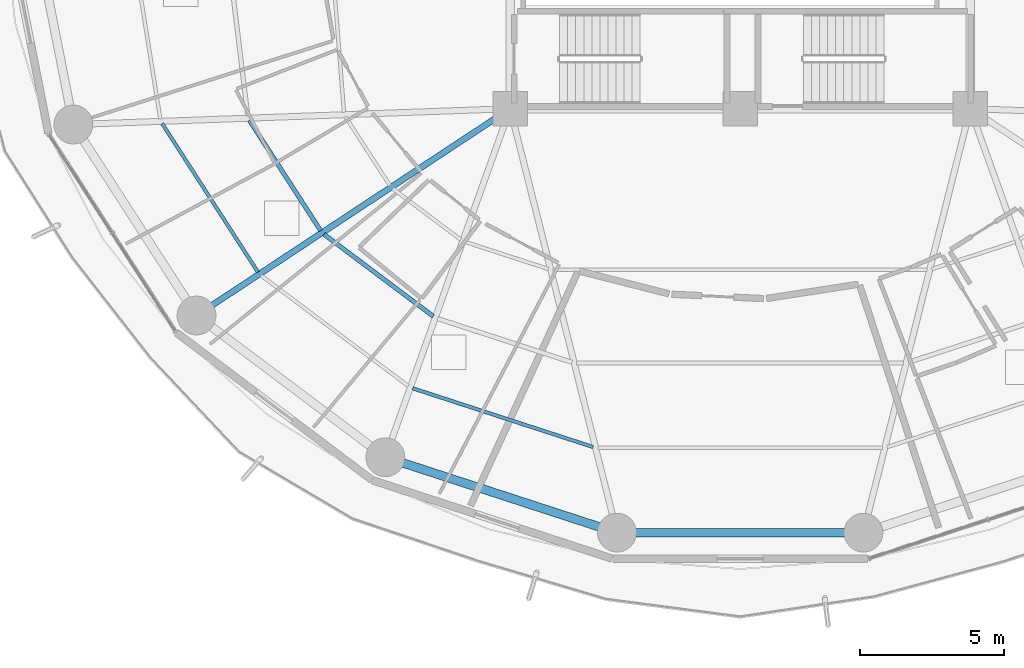
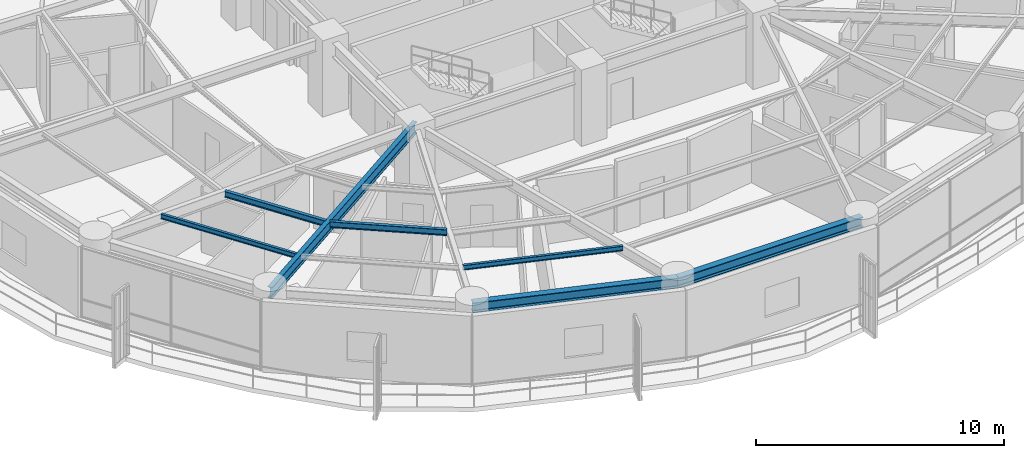
# One storey, part 3 of 37: 7 beams.
"""IFC4 building model written with IfcOpenShell, lengths in metres."""

from ifc_helpers import new_model, si_unit, direction, frame, origin, origin_2d, place, context, subcontext, project, spatial, i_section, extrude, material, material_profile, profile_set, type_object, element, save


model = new_model("IFC4")

# Units and contexts
model_context = context("Model", 3, precision=1e-05, world=origin(), true_north=direction((0.0, 1.0)))
body_context = subcontext(model_context, "Body", "Model", "MODEL_VIEW")
ifc_project = project(units=[si_unit("LENGTHUNIT", "METRE"), si_unit("AREAUNIT", "SQUARE_METRE"), si_unit("VOLUMEUNIT", "CUBIC_METRE"), si_unit("PLANEANGLEUNIT", "RADIAN"), si_unit("MASSUNIT", "GRAM", prefix="KILO")], contexts=[model_context])

# Site, building, storey
site_placement = place(None, origin())
site = spatial("IfcSite", under=ifc_project, at=site_placement, CompositionType="ELEMENT")
building_placement = place(site_placement, origin())
building = spatial("IfcBuilding", under=site, at=building_placement, Name="Kelanora Arch Commons", CompositionType="ELEMENT")
storey_placement = place(building_placement, frame((0.0, 0.0, 110.10009765625)))
storey = spatial("IfcBuildingStorey", under=building, at=storey_placement, Name="L28", CompositionType="ELEMENT", Elevation=110.10009765625)

# Beams
ifc_material = material(Name="Steel S355", Category="steel")
ifc_material_profile_1 = material_profile(ifc_material, i_section(OverallWidth=0.14990234375, OverallDepth=0.300048828125, WebThickness=0.007080078125, FlangeThickness=0.0107421875, FilletRadius=0.014892578125, at=origin_2d()), Name="IPE300")
ifc_profile_set_1 = profile_set([ifc_material_profile_1], Name="Steel S355")
beam_type_1 = type_object("IfcBeamType", Name="BM-JST-01", PredefinedType="JOIST", material=ifc_profile_set_1)
beam_1_placement = place(storey_placement, frame((56.93115234375, 50.597412109375, 3.33984375), z_axis=(0.542230243286, -0.840229946661, 0.0), x_axis=(0.840229946661, 0.542230243286, 0.0)))
element("IfcBeam", 1, at=beam_1_placement, inside=storey, type_object=beam_type_1, Name="Secondary Chord Joist BJB-20 L28", PredefinedType="JOIST", context=body_context, shape_type="SweptSolid", body=[
    extrude(i_section(OverallWidth=0.14990234375, OverallDepth=0.300048828125, WebThickness=0.007080078125, FlangeThickness=0.0107421875, FilletRadius=0.014892578125, at=origin_2d()), origin(), (0.0, 0.0, 1.0), 4.572265625),
])
beam_2_placement = place(storey_placement, frame((59.5244140625, 46.63330078125, 3.33984375), z_axis=(0.79971039107, -0.600385951214, 0.0), x_axis=(0.600385951214, 0.79971039107, 0.0)))
element("IfcBeam", 2, at=beam_2_placement, inside=storey, type_object=beam_type_1, Name="Secondary Chord Joist BJB-22 L28", PredefinedType="JOIST", context=body_context, shape_type="SweptSolid", body=[
    extrude(i_section(OverallWidth=0.14990234375, OverallDepth=0.300048828125, WebThickness=0.007080078125, FlangeThickness=0.0107421875, FilletRadius=0.014892578125, at=origin_2d()), origin(), (0.0, 0.0, 1.0), 4.756103515625),
])
ifc_material_profile_2 = material_profile(ifc_material, i_section(OverallWidth=0.1201171875, OverallDepth=0.239990234375, WebThickness=0.006103515625, FlangeThickness=0.009765625, FilletRadius=0.014892578125, at=origin_2d()), Name="IPE240")
ifc_profile_set_2 = profile_set([ifc_material_profile_2], Name="Steel S355")
beam_type_2 = type_object("IfcBeamType", Name="BM-JST-02", PredefinedType="JOIST", material=ifc_profile_set_2)
beam_3_placement = place(storey_placement, frame((53.892822265625, 50.487060546875, 3.369873046875), z_axis=(0.542212726273, -0.840241250754, 0.0), x_axis=(0.840241250754, 0.542212726273, 0.0)))
element("IfcBeam", 3, at=beam_3_placement, inside=storey, type_object=beam_type_2, Name="Secondary Chord Joist BJC-20 L28", PredefinedType="JOIST", context=body_context, shape_type="SweptSolid", body=[
    extrude(i_section(OverallWidth=0.1201171875, OverallDepth=0.239990234375, WebThickness=0.006103515625, FlangeThickness=0.009765625, FilletRadius=0.014892578125, at=origin_2d()), origin(), (0.0, 0.0, 1.0), 6.15283203125),
])
beam_4_placement = place(storey_placement, frame((62.60888671875, 41.276123046875, 3.369873046875), z_axis=(0.950862829272, -0.309612467301, 0.0), x_axis=(0.309612467301, 0.950862829272, 0.0)))
element("IfcBeam", 4, at=beam_4_placement, inside=storey, type_object=beam_type_2, Name="Secondary Chord Joist BJC-24 L28", PredefinedType="JOIST", context=body_context, shape_type="SweptSolid", body=[
    extrude(i_section(OverallWidth=0.1201171875, OverallDepth=0.239990234375, WebThickness=0.006103515625, FlangeThickness=0.009765625, FilletRadius=0.014892578125, at=origin_2d()), origin(), (0.0, 0.0, 1.0), 6.6064453125),
])
ifc_material_profile_3 = material_profile(ifc_material, i_section(OverallWidth=0.2099609375, OverallDepth=0.550048828125, WebThickness=0.010986328125, FlangeThickness=0.01708984375, FilletRadius=0.02392578125, at=origin_2d()), Name="IPE550")
ifc_profile_set_3 = profile_set([ifc_material_profile_3], Name="Steel S355")
beam_type_3 = type_object("IfcBeamType", Name="BM-RAD-Z2", PredefinedType="BEAM", material=ifc_profile_set_3)
beam_5_placement = place(storey_placement, frame((66.0, 51.0, 3.21484375), z_axis=(-0.834788577908, -0.550570640512, 0.0), x_axis=(0.550570640512, -0.834788577908, 0.0)))
element("IfcBeam", 5, at=beam_5_placement, inside=storey, type_object=beam_type_3, Name="Radial Floor Girder BR-22 L28", PredefinedType="BEAM", context=body_context, shape_type="SweptSolid", body=[
    extrude(i_section(OverallWidth=0.2099609375, OverallDepth=0.550048828125, WebThickness=0.010986328125, FlangeThickness=0.01708984375, FilletRadius=0.02392578125, at=origin_2d()), origin(), (0.0, 0.0, 1.0), 13.064453125),
])
ifc_material_profile_4 = material_profile(ifc_material, i_section(OverallWidth=0.300048828125, OverallDepth=0.5, WebThickness=0.014404296875, FlangeThickness=0.028076171875, FilletRadius=0.027099609375, at=origin_2d()), Name="HEB500")
ifc_profile_set_4 = profile_set([ifc_material_profile_4], Name="Steel S355")
beam_type_4 = type_object("IfcBeamType", Name="BM-SPN-Z2", PredefinedType="SPANDREL", material=ifc_profile_set_4)
beam_6_placement = place(storey_placement, frame((61.659912109375, 38.878173828125, 3.239990234375), z_axis=(0.950856631974, -0.309631499418, 0.0), x_axis=(0.309631499418, 0.950856631974, 0.0)))
element("IfcBeam", 6, at=beam_6_placement, inside=storey, type_object=beam_type_4, Name="Perimeter Spandrel Beam BS-24 L28", PredefinedType="SPANDREL", context=body_context, shape_type="SweptSolid", body=[
    extrude(i_section(OverallWidth=0.300048828125, OverallDepth=0.5, WebThickness=0.014404296875, FlangeThickness=0.028076171875, FilletRadius=0.027099609375, at=origin_2d()), origin(), (0.0, 0.0, 1.0), 8.470703125),
])
beam_7_placement = place(storey_placement, frame((69.71435546875, 36.25537109375, 3.239990234375), z_axis=(1.0, 0.0, 0.0), x_axis=(0.0, 1.0, 0.0)))
element("IfcBeam", 7, at=beam_7_placement, inside=storey, type_object=beam_type_4, Name="Perimeter Spandrel Beam BS-26 L28", PredefinedType="SPANDREL", context=body_context, shape_type="SweptSolid", body=[
    extrude(i_section(OverallWidth=0.300048828125, OverallDepth=0.5, WebThickness=0.014404296875, FlangeThickness=0.028076171875, FilletRadius=0.027099609375, at=origin_2d()), origin(), (0.0, 0.0, 1.0), 8.5712890625),
])

save(model, "model.ifc")
